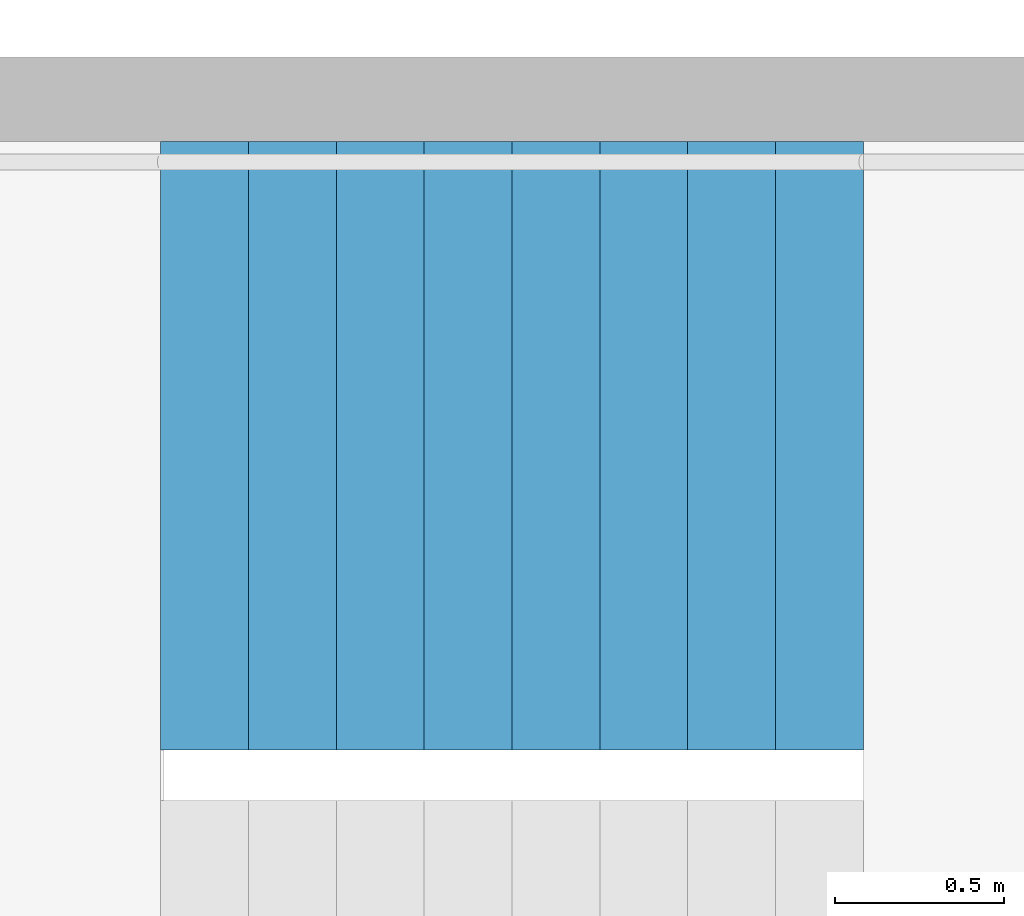
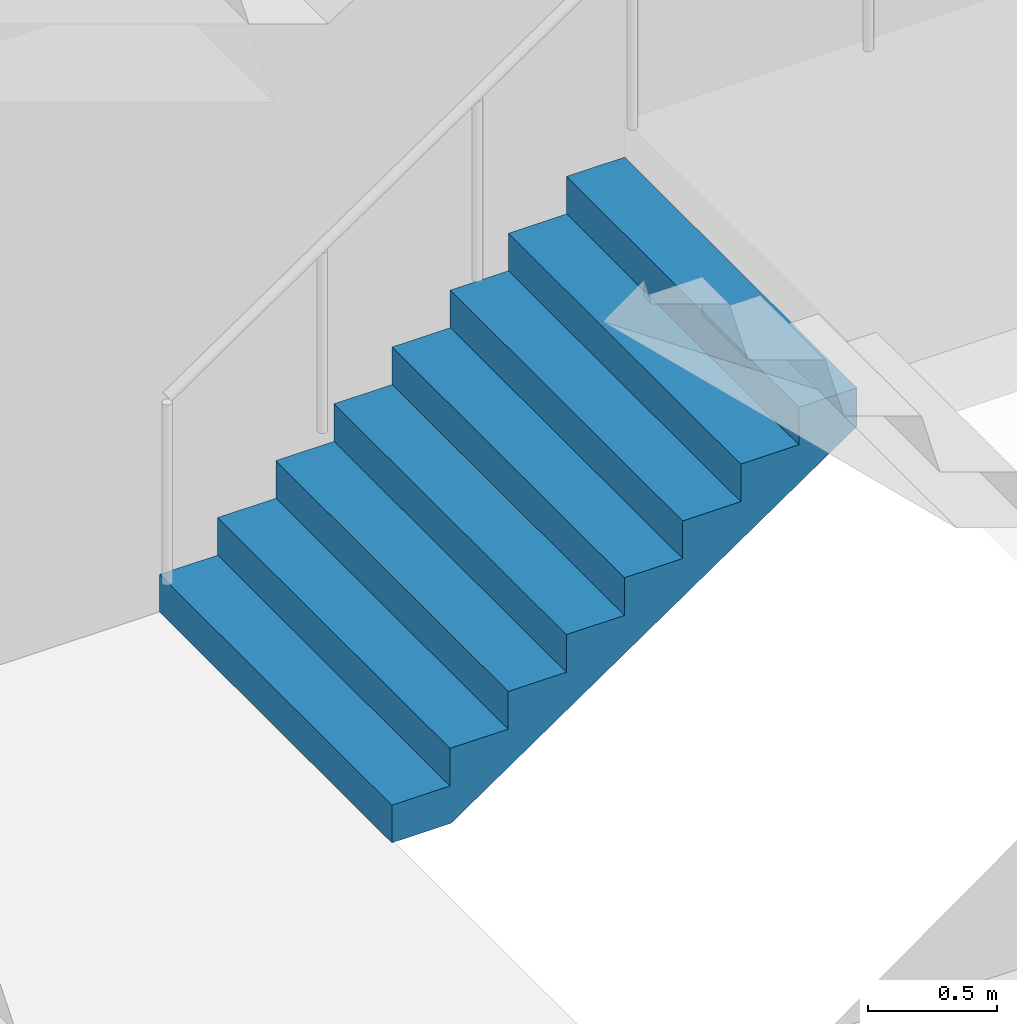
# One storey, part 25 of 41: 1 stair flight, 1 element without a shape of its own.
"""IFC4 building model written with IfcOpenShell, lengths in metres."""

import ifcopenshell
import ifcopenshell.guid

model = None  # the IFC model being written
_history = None  # IfcOwnerHistory: only IFC2X3 demands one
_inside = {}  # id of a spatial element -> (the spatial element, [elements in it])
_under = {}  # id of a project, library or spatial element -> (it, [spatial elements below it])
_declared = {}  # id of a project -> (the project, [libraries it declares])
_typed = {}  # id of a type object -> (the type object, [elements of that type])
_made_of = {}  # id of a material, layer set ... -> (it, [elements and type objects made of it])


def new_model(schema):
    """Start an empty IFC model of exactly this schema.

    Asked for "IFC4X3", IfcOpenShell would pick the latest addendum, in which some entities
    have other attributes; the version numbers below select the first issue.
    IFC2X3 requires an IfcOwnerHistory on every rooted entity: one is made here for all.
    """
    global model, _history
    if schema == "IFC4X3":
        model = ifcopenshell.file(schema_version=(4, 3, 0, 0))
    else:
        model = ifcopenshell.file(schema=schema)
    _inside.clear()
    _under.clear()
    _declared.clear()
    _typed.clear()
    _made_of.clear()
    _history = None
    if model.schema == "IFC2X3":
        org = make("IfcOrganization", Name="unknown")
        user = make(
            "IfcPersonAndOrganization",
            ThePerson=make("IfcPerson", FamilyName="unknown"),
            TheOrganization=org,
        )
        app = make(
            "IfcApplication",
            ApplicationDeveloper=org,
            Version="unknown",
            ApplicationFullName="unknown",
            ApplicationIdentifier="unknown",
        )
        _history = make(
            "IfcOwnerHistory",
            OwningUser=user,
            OwningApplication=app,
            ChangeAction="ADDED",
            CreationDate=0,
        )
    return model


def make(cls, **values):
    """One entity of the class cls with the attributes given. An attribute that is None is left unset."""
    return model.create_entity(
        cls, **{name: value for name, value in values.items() if value is not None}
    )


def rooted(cls, **values):
    """An entity with a GlobalId (a new one), such as an element, a storey or a relation."""
    return make(cls, GlobalId=ifcopenshell.guid.new(), OwnerHistory=_history, **values)


def si_unit(unit_type, name, prefix=None):
    """IfcSIUnit, for example si_unit("LENGTHUNIT", "METRE", prefix="MILLI")."""
    return make("IfcSIUnit", UnitType=unit_type, Prefix=prefix, Name=name)


def assignment(units):
    """IfcUnitAssignment: the units of a project."""
    return None if units is None else make("IfcUnitAssignment", Units=units)


def point(xyz):
    """IfcCartesianPoint."""
    return None if xyz is None else make("IfcCartesianPoint", Coordinates=xyz)


def direction(xyz):
    """IfcDirection."""
    return None if xyz is None else make("IfcDirection", DirectionRatios=xyz)


def frame(location, z_axis=None, x_axis=None):
    """IfcAxis2Placement3D, a coordinate frame: its origin and axes. An axis left out is left unset."""
    return make(
        "IfcAxis2Placement3D",
        Location=point(location),
        Axis=direction(z_axis),
        RefDirection=direction(x_axis),
    )


def origin():
    """The frame at (0, 0, 0) with its axes left unset."""
    return frame((0.0, 0.0, 0.0))


def place(relative_to, where):
    """IfcLocalPlacement: puts the frame where relative to a parent placement (None: the world)."""
    return make(
        "IfcLocalPlacement", PlacementRelTo=relative_to, RelativePlacement=where
    )


def context(
    kind, dimensions, precision=None, world=None, true_north=None, identifier=None
):
    """IfcGeometricRepresentationContext, for example the 3D "Model" context."""
    return make(
        "IfcGeometricRepresentationContext",
        ContextIdentifier=identifier,
        ContextType=kind,
        CoordinateSpaceDimension=dimensions,
        Precision=precision,
        WorldCoordinateSystem=world,
        TrueNorth=true_north,
    )


def subcontext(parent, identifier, kind, view, scale=None):
    """IfcGeometricRepresentationSubContext, for example "Body" below "Model"."""
    return make(
        "IfcGeometricRepresentationSubContext",
        ContextIdentifier=identifier,
        ContextType=kind,
        ParentContext=parent,
        TargetScale=scale,
        TargetView=view,
    )


def project(units=None, contexts=None):
    """IfcProject with its units and contexts."""
    return rooted(
        "IfcProject",
        Name="project",
        RepresentationContexts=contexts,
        UnitsInContext=assignment(units),
    )


def spatial(cls, under=None, at=None, **own):
    """A site, building, storey or space (cls), placed at a placement, below another one or the project."""
    s = rooted(cls, ObjectPlacement=at, **own)
    if under is not None:
        _under.setdefault(under.id(), (under, []))[1].append(s)
    return s


def point_list(points):
    """IfcCartesianPointList2D or 3D."""
    cls = (
        "IfcCartesianPointList2D" if len(points[0]) == 2 else "IfcCartesianPointList3D"
    )
    return make(cls, CoordList=points)


def triangles(points, corners, closed=None, point_numbers=None):
    """IfcTriangulatedFaceSet: each triangle names its three corners, points numbered from 1."""
    return make(
        "IfcTriangulatedFaceSet",
        Coordinates=point_list(points),
        Closed=closed,
        CoordIndex=corners,
        PnIndex=point_numbers,
    )


def shape(context_of_items, identifier, shape_type, items):
    """IfcShapeRepresentation: the items that make up one representation, for example the "Body"."""
    return make(
        "IfcShapeRepresentation",
        ContextOfItems=context_of_items,
        RepresentationIdentifier=identifier,
        RepresentationType=shape_type,
        Items=items,
    )


def material(Name=None, Category=None):
    """IfcMaterial."""
    return make("IfcMaterial", Name=Name, Category=Category)


def made_of(thing, what):
    """Note that an element or type object is made of a material, layer set ...; save() writes the relation."""
    if what is not None:
        _made_of.setdefault(what.id(), (what, []))[1].append(thing)
    return thing


def type_object(cls, material=None, **own):
    """A type object (cls), such as IfcWallType, which elements share."""
    return made_of(rooted(cls, **own), material)


def element(
    cls,
    number,
    at=None,
    inside=None,
    cuts=None,
    type_object=None,
    material=None,
    context=None,
    identifier="Body",
    shape_type=None,
    held_by="IfcProductDefinitionShape",
    body=None,
    shapes=None,
    **own,
):
    """One element of the class cls, such as IfcWall. Its Tag is "e" and its number.

    at: its placement. inside: the storey or other place that contains it. cuts: it is an
    opening in that element (IfcRelVoidsElement). A single representation is given by context,
    identifier, shape_type and body (its items); several are given by shapes. held_by: the class
    of the entity that holds the representations. save() writes the other relations.
    """
    e = rooted(cls, Tag="e%d" % number, ObjectPlacement=at, **own)
    if body is not None:
        shapes = [shape(context, identifier, shape_type, body)]
    if shapes is not None:
        e.Representation = make(held_by, Representations=shapes)
    if inside is not None:
        _inside.setdefault(inside.id(), (inside, []))[1].append(e)
    if cuts is not None:
        rooted(
            "IfcRelVoidsElement", RelatingBuildingElement=cuts, RelatedOpeningElement=e
        )
    if type_object is not None:
        _typed.setdefault(type_object.id(), (type_object, []))[1].append(e)
    return made_of(e, material)


def aggregate(whole, parts):
    """IfcRelAggregates: a whole, such as a stair, and the parts it consists of."""
    return rooted("IfcRelAggregates", RelatingObject=whole, RelatedObjects=parts)


def save(model, path):
    """Write the relations noted so far, then the file.

    IfcRelAggregates (storeys below a building ...), IfcRelContainedInSpatialStructure (elements
    in a storey), IfcRelDefinesByType, IfcRelAssociatesMaterial and IfcRelDeclares: one each for
    every whole, place, type object, material and project.
    """
    for whole, parts in _under.values():
        aggregate(whole, parts)
    for where, things in _inside.values():
        rooted(
            "IfcRelContainedInSpatialStructure",
            RelatedElements=things,
            RelatingStructure=where,
        )
    for kind, things in _typed.values():
        rooted("IfcRelDefinesByType", RelatedObjects=things, RelatingType=kind)
    for what, things in _made_of.values():
        rooted("IfcRelAssociatesMaterial", RelatedObjects=things, RelatingMaterial=what)
    for by, libraries in _declared.values():
        rooted("IfcRelDeclares", RelatingContext=by, RelatedDefinitions=libraries)
    model.write(path)


model = new_model("IFC4")

# Units and contexts
model_context = context("Model", 3, precision=1e-05, world=origin(), true_north=direction((0.0, 1.0)))
body_context = subcontext(model_context, "Body", "Model", "MODEL_VIEW")
ifc_project = project(units=[si_unit("LENGTHUNIT", "METRE"), si_unit("AREAUNIT", "SQUARE_METRE"), si_unit("VOLUMEUNIT", "CUBIC_METRE"), si_unit("PLANEANGLEUNIT", "RADIAN"), si_unit("MASSUNIT", "GRAM", prefix="KILO")], contexts=[model_context])

# Site, building, storey
site_placement = place(None, origin())
site = spatial("IfcSite", under=ifc_project, at=site_placement, CompositionType="ELEMENT")
building_placement = place(site_placement, origin())
building = spatial("IfcBuilding", under=site, at=building_placement, Name="Hakoniwa Tower and Hamabe Station Hall", CompositionType="ELEMENT")
storey_placement = place(building_placement, frame((0.0, 0.0, 180.199951171875)))
storey = spatial("IfcBuildingStorey", under=building, at=storey_placement, Name="L51", CompositionType="ELEMENT", Elevation=180.199951171875)

# Stair, stair flight
ifc_material_1 = material(Name="Concrete C40", Category="concrete")
stair_type = type_object("IfcStairType", Name="ESCAPE STAIR 1800", PredefinedType="HALF_TURN_STAIR", material=ifc_material_1)
stair_placement = place(storey_placement, origin())
stair = element("IfcStair", 1, at=stair_placement, inside=storey, type_object=stair_type, Name="Escape stair ST-4 L51", PredefinedType="HALF_TURN_STAIR")
ifc_material_2 = material(Name="Concrete C40", Category="concrete")
stair_flight_type = type_object("IfcStairFlightType", Name="STAIR FLIGHT 1800", PredefinedType="STRAIGHT", material=ifc_material_2)
stair_flight_placement = place(storey_placement, frame((23.39990234375, -4.64990234375, 0.0), z_axis=(0.0, 0.0, 1.0), x_axis=(1.0, 0.0, 0.0)))
stair_flight = element("IfcStairFlight", 2, at=stair_flight_placement, type_object=stair_flight_type, Name="ST-4 flight 1", NumberOfRisers=9, NumberOfTreads=8, PredefinedType="STRAIGHT", RiserHeight=0.177777778, TreadLength=0.26, context=body_context, shape_type="Tessellation", body=[
    triangles([(0.0, 0.89990234375, 0.0), (0.260009765625, 0.89990234375, 0.0), (0.265625, 0.89990234375, 0.0), (0.52001953125, 0.89990234375, 0.174072265625), (0.780029296875, 0.89990234375, 0.351806640625), (1.0400390625, 0.89990234375, 0.529541015625), (1.300048828125, 0.89990234375, 0.707275390625), (1.56005859375, 0.89990234375, 0.885009765625), (1.820068359375, 0.89990234375, 1.062744140625), (2.080078125, 0.89990234375, 1.24072265625), (2.080078125, 0.89990234375, 1.422119140625), (1.820068359375, 0.89990234375, 1.422119140625), (1.820068359375, 0.89990234375, 1.244384765625), (1.56005859375, 0.89990234375, 1.244384765625), (1.56005859375, 0.89990234375, 1.066650390625), (1.300048828125, 0.89990234375, 1.066650390625), (1.300048828125, 0.89990234375, 0.888916015625), (1.0400390625, 0.89990234375, 0.888916015625), (1.0400390625, 0.89990234375, 0.711181640625), (0.780029296875, 0.89990234375, 0.711181640625), (0.780029296875, 0.89990234375, 0.533447265625), (0.52001953125, 0.89990234375, 0.533447265625), (0.52001953125, 0.89990234375, 0.35546875), (0.265625, 0.89990234375, 0.35546875), (0.260009765625, 0.89990234375, 0.35546875), (0.260009765625, 0.89990234375, 0.177734375), (0.0, 0.89990234375, 0.177734375), (0.0, 0.06005859375, 0.0), (0.260009765625, 0.06005859375, 0.0), (0.265625, 0.06005859375, 0.0), (0.52001953125, 0.06005859375, 0.174072265625), (0.780029296875, 0.06005859375, 0.351806640625), (1.0400390625, 0.06005859375, 0.529541015625), (1.300048828125, 0.06005859375, 0.707275390625), (1.56005859375, 0.06005859375, 0.885009765625), (1.820068359375, 0.06005859375, 1.062744140625), (2.080078125, 0.06005859375, 1.24072265625), (2.080078125, 0.06005859375, 1.422119140625), (1.820068359375, 0.06005859375, 1.422119140625), (1.820068359375, 0.06005859375, 1.244384765625), (1.56005859375, 0.06005859375, 1.244384765625), (1.56005859375, 0.06005859375, 1.066650390625), (1.300048828125, 0.06005859375, 1.066650390625), (1.300048828125, 0.06005859375, 0.888916015625), (1.0400390625, 0.06005859375, 0.888916015625), (1.0400390625, 0.06005859375, 0.711181640625), (0.780029296875, 0.06005859375, 0.711181640625), (0.780029296875, 0.06005859375, 0.533447265625), (0.52001953125, 0.06005859375, 0.533447265625), (0.52001953125, 0.06005859375, 0.35546875), (0.265625, 0.06005859375, 0.35546875), (0.260009765625, 0.06005859375, 0.35546875), (0.260009765625, 0.06005859375, 0.177734375), (0.0, 0.06005859375, 0.177734375), (0.0, 0.04296875, 0.0), (0.260009765625, 0.04296875, 0.0), (0.265625, 0.04296875, 0.0), (0.52001953125, 0.04296875, 0.174072265625), (0.780029296875, 0.04296875, 0.351806640625), (1.0400390625, 0.04296875, 0.529541015625), (1.300048828125, 0.04296875, 0.707275390625), (1.56005859375, 0.04296875, 0.885009765625), (1.820068359375, 0.04296875, 1.062744140625), (2.080078125, 0.04296875, 1.24072265625), (2.080078125, 0.04296875, 1.422119140625), (1.820068359375, 0.04296875, 1.422119140625), (1.820068359375, 0.04296875, 1.244384765625), (1.56005859375, 0.04296875, 1.244384765625), (1.56005859375, 0.04296875, 1.066650390625), (1.300048828125, 0.04296875, 1.066650390625), (1.300048828125, 0.04296875, 0.888916015625), (1.0400390625, 0.04296875, 0.888916015625), (1.0400390625, 0.04296875, 0.711181640625), (0.780029296875, 0.04296875, 0.711181640625), (0.780029296875, 0.04296875, 0.533447265625), (0.52001953125, 0.04296875, 0.533447265625), (0.52001953125, 0.04296875, 0.35546875), (0.265625, 0.04296875, 0.35546875), (0.260009765625, 0.04296875, 0.35546875), (0.260009765625, 0.04296875, 0.177734375), (0.0, 0.04296875, 0.177734375), (0.0, 0.025634765625, 0.0), (0.260009765625, 0.025634765625, 0.0), (0.265625, 0.025634765625, 0.0), (0.52001953125, 0.025634765625, 0.174072265625), (0.780029296875, 0.025634765625, 0.351806640625), (1.0400390625, 0.025634765625, 0.529541015625), (1.300048828125, 0.025634765625, 0.707275390625), (1.56005859375, 0.025634765625, 0.885009765625), (1.820068359375, 0.025634765625, 1.062744140625), (2.080078125, 0.025634765625, 1.24072265625), (2.080078125, 0.025634765625, 1.422119140625), (1.820068359375, 0.025634765625, 1.422119140625), (1.820068359375, 0.025634765625, 1.244384765625), (1.56005859375, 0.025634765625, 1.244384765625), (1.56005859375, 0.025634765625, 1.066650390625), (1.300048828125, 0.025634765625, 1.066650390625), (1.300048828125, 0.025634765625, 0.888916015625), (1.0400390625, 0.025634765625, 0.888916015625), (1.0400390625, 0.025634765625, 0.711181640625), (0.780029296875, 0.025634765625, 0.711181640625), (0.780029296875, 0.025634765625, 0.533447265625), (0.52001953125, 0.025634765625, 0.533447265625), (0.52001953125, 0.025634765625, 0.35546875), (0.265625, 0.025634765625, 0.35546875), (0.260009765625, 0.025634765625, 0.35546875), (0.260009765625, 0.025634765625, 0.177734375), (0.0, 0.025634765625, 0.177734375), (0.0, 0.008544921875, 0.0), (0.260009765625, 0.008544921875, 0.0), (0.265625, 0.008544921875, 0.0), (0.52001953125, 0.008544921875, 0.174072265625), (0.780029296875, 0.008544921875, 0.351806640625), (1.0400390625, 0.008544921875, 0.529541015625), (1.300048828125, 0.008544921875, 0.707275390625), (1.56005859375, 0.008544921875, 0.885009765625), (1.820068359375, 0.008544921875, 1.062744140625), (2.080078125, 0.008544921875, 1.24072265625), (2.080078125, 0.008544921875, 1.422119140625), (1.820068359375, 0.008544921875, 1.422119140625), (1.820068359375, 0.008544921875, 1.244384765625), (1.56005859375, 0.008544921875, 1.244384765625), (1.56005859375, 0.008544921875, 1.066650390625), (1.300048828125, 0.008544921875, 1.066650390625), (1.300048828125, 0.008544921875, 0.888916015625), (1.0400390625, 0.008544921875, 0.888916015625), (1.0400390625, 0.008544921875, 0.711181640625), (0.780029296875, 0.008544921875, 0.711181640625), (0.780029296875, 0.008544921875, 0.533447265625), (0.52001953125, 0.008544921875, 0.533447265625), (0.52001953125, 0.008544921875, 0.35546875), (0.265625, 0.008544921875, 0.35546875), (0.260009765625, 0.008544921875, 0.35546875), (0.260009765625, 0.008544921875, 0.177734375), (0.0, 0.008544921875, 0.177734375), (0.0, -0.008544921875, 0.0), (0.260009765625, -0.008544921875, 0.0), (0.265625, -0.008544921875, 0.0), (0.52001953125, -0.008544921875, 0.174072265625), (0.780029296875, -0.008544921875, 0.351806640625), (1.0400390625, -0.008544921875, 0.529541015625), (1.300048828125, -0.008544921875, 0.707275390625), (1.56005859375, -0.008544921875, 0.885009765625), (1.820068359375, -0.008544921875, 1.062744140625), (2.080078125, -0.008544921875, 1.24072265625), (2.080078125, -0.008544921875, 1.422119140625), (1.820068359375, -0.008544921875, 1.422119140625), (1.820068359375, -0.008544921875, 1.244384765625), (1.56005859375, -0.008544921875, 1.244384765625), (1.56005859375, -0.008544921875, 1.066650390625), (1.300048828125, -0.008544921875, 1.066650390625), (1.300048828125, -0.008544921875, 0.888916015625), (1.0400390625, -0.008544921875, 0.888916015625), (1.0400390625, -0.008544921875, 0.711181640625), (0.780029296875, -0.008544921875, 0.711181640625), (0.780029296875, -0.008544921875, 0.533447265625), (0.52001953125, -0.008544921875, 0.533447265625), (0.52001953125, -0.008544921875, 0.35546875), (0.265625, -0.008544921875, 0.35546875), (0.260009765625, -0.008544921875, 0.35546875), (0.260009765625, -0.008544921875, 0.177734375), (0.0, -0.008544921875, 0.177734375), (0.0, -0.025634765625, 0.0), (0.260009765625, -0.025634765625, 0.0), (0.265625, -0.025634765625, 0.0), (0.52001953125, -0.025634765625, 0.174072265625), (0.780029296875, -0.025634765625, 0.351806640625), (1.0400390625, -0.025634765625, 0.529541015625), (1.300048828125, -0.025634765625, 0.707275390625), (1.56005859375, -0.025634765625, 0.885009765625), (1.820068359375, -0.025634765625, 1.062744140625), (2.080078125, -0.025634765625, 1.24072265625), (2.080078125, -0.025634765625, 1.422119140625), (1.820068359375, -0.025634765625, 1.422119140625), (1.820068359375, -0.025634765625, 1.244384765625), (1.56005859375, -0.025634765625, 1.244384765625), (1.56005859375, -0.025634765625, 1.066650390625), (1.300048828125, -0.025634765625, 1.066650390625), (1.300048828125, -0.025634765625, 0.888916015625), (1.0400390625, -0.025634765625, 0.888916015625), (1.0400390625, -0.025634765625, 0.711181640625), (0.780029296875, -0.025634765625, 0.711181640625), (0.780029296875, -0.025634765625, 0.533447265625), (0.52001953125, -0.025634765625, 0.533447265625), (0.52001953125, -0.025634765625, 0.35546875), (0.265625, -0.025634765625, 0.35546875), (0.260009765625, -0.025634765625, 0.35546875), (0.260009765625, -0.025634765625, 0.177734375), (0.0, -0.025634765625, 0.177734375), (0.0, -0.04296875, 0.0), (0.260009765625, -0.04296875, 0.0), (0.265625, -0.04296875, 0.0), (0.52001953125, -0.04296875, 0.174072265625), (0.780029296875, -0.04296875, 0.351806640625), (1.0400390625, -0.04296875, 0.529541015625), (1.300048828125, -0.04296875, 0.707275390625), (1.56005859375, -0.04296875, 0.885009765625), (1.820068359375, -0.04296875, 1.062744140625), (2.080078125, -0.04296875, 1.24072265625), (2.080078125, -0.04296875, 1.422119140625), (1.820068359375, -0.04296875, 1.422119140625), (1.820068359375, -0.04296875, 1.244384765625), (1.56005859375, -0.04296875, 1.244384765625), (1.56005859375, -0.04296875, 1.066650390625), (1.300048828125, -0.04296875, 1.066650390625), (1.300048828125, -0.04296875, 0.888916015625), (1.0400390625, -0.04296875, 0.888916015625), (1.0400390625, -0.04296875, 0.711181640625), (0.780029296875, -0.04296875, 0.711181640625), (0.780029296875, -0.04296875, 0.533447265625), (0.52001953125, -0.04296875, 0.533447265625), (0.52001953125, -0.04296875, 0.35546875), (0.265625, -0.04296875, 0.35546875), (0.260009765625, -0.04296875, 0.35546875), (0.260009765625, -0.04296875, 0.177734375), (0.0, -0.04296875, 0.177734375), (0.0, -0.06005859375, 0.0), (0.260009765625, -0.06005859375, 0.0), (0.265625, -0.06005859375, 0.0), (0.52001953125, -0.06005859375, 0.174072265625), (0.780029296875, -0.06005859375, 0.351806640625), (1.0400390625, -0.06005859375, 0.529541015625), (1.300048828125, -0.06005859375, 0.707275390625), (1.56005859375, -0.06005859375, 0.885009765625), (1.820068359375, -0.06005859375, 1.062744140625), (2.080078125, -0.06005859375, 1.24072265625), (2.080078125, -0.06005859375, 1.422119140625), (1.820068359375, -0.06005859375, 1.422119140625), (1.820068359375, -0.06005859375, 1.244384765625), (1.56005859375, -0.06005859375, 1.244384765625), (1.56005859375, -0.06005859375, 1.066650390625), (1.300048828125, -0.06005859375, 1.066650390625), (1.300048828125, -0.06005859375, 0.888916015625), (1.0400390625, -0.06005859375, 0.888916015625), (1.0400390625, -0.06005859375, 0.711181640625), (0.780029296875, -0.06005859375, 0.711181640625), (0.780029296875, -0.06005859375, 0.533447265625), (0.52001953125, -0.06005859375, 0.533447265625), (0.52001953125, -0.06005859375, 0.35546875), (0.265625, -0.06005859375, 0.35546875), (0.260009765625, -0.06005859375, 0.35546875), (0.260009765625, -0.06005859375, 0.177734375), (0.0, -0.06005859375, 0.177734375), (0.0, -0.89990234375, 0.0), (0.260009765625, -0.89990234375, 0.0), (0.265625, -0.89990234375, 0.0), (0.52001953125, -0.89990234375, 0.174072265625), (0.780029296875, -0.89990234375, 0.351806640625), (1.0400390625, -0.89990234375, 0.529541015625), (1.300048828125, -0.89990234375, 0.707275390625), (1.56005859375, -0.89990234375, 0.885009765625), (1.820068359375, -0.89990234375, 1.062744140625), (2.080078125, -0.89990234375, 1.24072265625), (2.080078125, -0.89990234375, 1.422119140625), (1.820068359375, -0.89990234375, 1.422119140625), (1.820068359375, -0.89990234375, 1.244384765625), (1.56005859375, -0.89990234375, 1.244384765625), (1.56005859375, -0.89990234375, 1.066650390625), (1.300048828125, -0.89990234375, 1.066650390625), (1.300048828125, -0.89990234375, 0.888916015625), (1.0400390625, -0.89990234375, 0.888916015625), (1.0400390625, -0.89990234375, 0.711181640625), (0.780029296875, -0.89990234375, 0.711181640625), (0.780029296875, -0.89990234375, 0.533447265625), (0.52001953125, -0.89990234375, 0.533447265625), (0.52001953125, -0.89990234375, 0.35546875), (0.265625, -0.89990234375, 0.35546875), (0.260009765625, -0.89990234375, 0.35546875), (0.260009765625, -0.89990234375, 0.177734375), (0.0, -0.89990234375, 0.177734375)], [[2, 27, 26], [245, 269, 270], [2, 1, 27], [245, 270, 244], [3, 25, 24], [246, 267, 268], [3, 26, 25], [246, 268, 269], [3, 2, 26], [246, 269, 245], [4, 24, 23], [247, 266, 267], [4, 3, 24], [247, 267, 246], [5, 22, 21], [248, 264, 265], [5, 23, 22], [248, 265, 266], [5, 4, 23], [248, 266, 247], [6, 20, 19], [249, 262, 263], [6, 21, 20], [249, 263, 264], [6, 5, 21], [249, 264, 248], [7, 18, 17], [250, 260, 261], [7, 19, 18], [250, 261, 262], [7, 6, 19], [250, 262, 249], [8, 16, 15], [251, 258, 259], [8, 17, 16], [251, 259, 260], [8, 7, 17], [251, 260, 250], [9, 14, 13], [252, 256, 257], [9, 15, 14], [252, 257, 258], [9, 8, 15], [252, 258, 251], [10, 12, 11], [253, 254, 255], [10, 13, 12], [253, 255, 256], [10, 9, 13], [253, 256, 252], [1, 2, 29], [1, 29, 28], [28, 29, 56], [28, 56, 55], [55, 56, 83], [55, 83, 82], [82, 83, 110], [82, 110, 109], [109, 110, 137], [109, 137, 136], [136, 137, 164], [136, 164, 163], [163, 164, 191], [163, 191, 190], [190, 191, 218], [190, 218, 217], [217, 218, 245], [217, 245, 244], [2, 3, 30], [2, 30, 29], [29, 30, 57], [29, 57, 56], [56, 57, 84], [56, 84, 83], [83, 84, 111], [83, 111, 110], [110, 111, 138], [110, 138, 137], [137, 138, 165], [137, 165, 164], [164, 165, 192], [164, 192, 191], [191, 192, 219], [191, 219, 218], [218, 219, 246], [218, 246, 245], [3, 4, 31], [3, 31, 30], [30, 31, 58], [30, 58, 57], [57, 58, 85], [57, 85, 84], [84, 85, 112], [84, 112, 111], [111, 112, 139], [111, 139, 138], [138, 139, 166], [138, 166, 165], [165, 166, 193], [165, 193, 192], [192, 193, 220], [192, 220, 219], [219, 220, 247], [219, 247, 246], [4, 5, 32], [4, 32, 31], [31, 32, 59], [31, 59, 58], [58, 59, 86], [58, 86, 85], [85, 86, 113], [85, 113, 112], [112, 113, 140], [112, 140, 139], [139, 140, 167], [139, 167, 166], [166, 167, 194], [166, 194, 193], [193, 194, 221], [193, 221, 220], [220, 221, 248], [220, 248, 247], [5, 6, 33], [5, 33, 32], [32, 33, 60], [32, 60, 59], [59, 60, 87], [59, 87, 86], [86, 87, 114], [86, 114, 113], [113, 114, 141], [113, 141, 140], [140, 141, 168], [140, 168, 167], [167, 168, 195], [167, 195, 194], [194, 195, 222], [194, 222, 221], [221, 222, 249], [221, 249, 248], [6, 7, 34], [6, 34, 33], [33, 34, 61], [33, 61, 60], [60, 61, 88], [60, 88, 87], [87, 88, 115], [87, 115, 114], [114, 115, 142], [114, 142, 141], [141, 142, 169], [141, 169, 168], [168, 169, 196], [168, 196, 195], [195, 196, 223], [195, 223, 222], [222, 223, 250], [222, 250, 249], [7, 8, 35], [7, 35, 34], [34, 35, 62], [34, 62, 61], [61, 62, 89], [61, 89, 88], [88, 89, 116], [88, 116, 115], [115, 116, 143], [115, 143, 142], [142, 143, 170], [142, 170, 169], [169, 170, 197], [169, 197, 196], [196, 197, 224], [196, 224, 223], [223, 224, 251], [223, 251, 250], [8, 9, 36], [8, 36, 35], [35, 36, 63], [35, 63, 62], [62, 63, 90], [62, 90, 89], [89, 90, 117], [89, 117, 116], [116, 117, 144], [116, 144, 143], [143, 144, 171], [143, 171, 170], [170, 171, 198], [170, 198, 197], [197, 198, 225], [197, 225, 224], [224, 225, 252], [224, 252, 251], [9, 10, 37], [9, 37, 36], [36, 37, 64], [36, 64, 63], [63, 64, 91], [63, 91, 90], [90, 91, 118], [90, 118, 117], [117, 118, 145], [117, 145, 144], [144, 145, 172], [144, 172, 171], [171, 172, 199], [171, 199, 198], [198, 199, 226], [198, 226, 225], [225, 226, 253], [225, 253, 252], [10, 11, 38], [10, 38, 37], [37, 38, 65], [37, 65, 64], [64, 65, 92], [64, 92, 91], [91, 92, 119], [91, 119, 118], [118, 119, 146], [118, 146, 145], [145, 146, 173], [145, 173, 172], [172, 173, 200], [172, 200, 199], [199, 200, 227], [199, 227, 226], [226, 227, 254], [226, 254, 253], [11, 12, 39], [11, 39, 38], [38, 39, 66], [38, 66, 65], [65, 66, 93], [65, 93, 92], [92, 93, 120], [92, 120, 119], [119, 120, 147], [119, 147, 146], [146, 147, 174], [146, 174, 173], [173, 174, 201], [173, 201, 200], [200, 201, 228], [200, 228, 227], [227, 228, 255], [227, 255, 254], [12, 13, 40], [12, 40, 39], [39, 40, 67], [39, 67, 66], [66, 67, 94], [66, 94, 93], [93, 94, 121], [93, 121, 120], [120, 121, 148], [120, 148, 147], [147, 148, 175], [147, 175, 174], [174, 175, 202], [174, 202, 201], [201, 202, 229], [201, 229, 228], [228, 229, 256], [228, 256, 255], [13, 14, 41], [13, 41, 40], [40, 41, 68], [40, 68, 67], [67, 68, 95], [67, 95, 94], [94, 95, 122], [94, 122, 121], [121, 122, 149], [121, 149, 148], [148, 149, 176], [148, 176, 175], [175, 176, 203], [175, 203, 202], [202, 203, 230], [202, 230, 229], [229, 230, 257], [229, 257, 256], [14, 15, 42], [14, 42, 41], [41, 42, 69], [41, 69, 68], [68, 69, 96], [68, 96, 95], [95, 96, 123], [95, 123, 122], [122, 123, 150], [122, 150, 149], [149, 150, 177], [149, 177, 176], [176, 177, 204], [176, 204, 203], [203, 204, 231], [203, 231, 230], [230, 231, 258], [230, 258, 257], [15, 16, 43], [15, 43, 42], [42, 43, 70], [42, 70, 69], [69, 70, 97], [69, 97, 96], [96, 97, 124], [96, 124, 123], [123, 124, 151], [123, 151, 150], [150, 151, 178], [150, 178, 177], [177, 178, 205], [177, 205, 204], [204, 205, 232], [204, 232, 231], [231, 232, 259], [231, 259, 258], [16, 17, 44], [16, 44, 43], [43, 44, 71], [43, 71, 70], [70, 71, 98], [70, 98, 97], [97, 98, 125], [97, 125, 124], [124, 125, 152], [124, 152, 151], [151, 152, 179], [151, 179, 178], [178, 179, 206], [178, 206, 205], [205, 206, 233], [205, 233, 232], [232, 233, 260], [232, 260, 259], [17, 18, 45], [17, 45, 44], [44, 45, 72], [44, 72, 71], [71, 72, 99], [71, 99, 98], [98, 99, 126], [98, 126, 125], [125, 126, 153], [125, 153, 152], [152, 153, 180], [152, 180, 179], [179, 180, 207], [179, 207, 206], [206, 207, 234], [206, 234, 233], [233, 234, 261], [233, 261, 260], [18, 19, 46], [18, 46, 45], [45, 46, 73], [45, 73, 72], [72, 73, 100], [72, 100, 99], [99, 100, 127], [99, 127, 126], [126, 127, 154], [126, 154, 153], [153, 154, 181], [153, 181, 180], [180, 181, 208], [180, 208, 207], [207, 208, 235], [207, 235, 234], [234, 235, 262], [234, 262, 261], [19, 20, 47], [19, 47, 46], [46, 47, 74], [46, 74, 73], [73, 74, 101], [73, 101, 100], [100, 101, 128], [100, 128, 127], [127, 128, 155], [127, 155, 154], [154, 155, 182], [154, 182, 181], [181, 182, 209], [181, 209, 208], [208, 209, 236], [208, 236, 235], [235, 236, 263], [235, 263, 262], [20, 21, 48], [20, 48, 47], [47, 48, 75], [47, 75, 74], [74, 75, 102], [74, 102, 101], [101, 102, 129], [101, 129, 128], [128, 129, 156], [128, 156, 155], [155, 156, 183], [155, 183, 182], [182, 183, 210], [182, 210, 209], [209, 210, 237], [209, 237, 236], [236, 237, 264], [236, 264, 263], [21, 22, 49], [21, 49, 48], [48, 49, 76], [48, 76, 75], [75, 76, 103], [75, 103, 102], [102, 103, 130], [102, 130, 129], [129, 130, 157], [129, 157, 156], [156, 157, 184], [156, 184, 183], [183, 184, 211], [183, 211, 210], [210, 211, 238], [210, 238, 237], [237, 238, 265], [237, 265, 264], [22, 23, 50], [22, 50, 49], [49, 50, 77], [49, 77, 76], [76, 77, 104], [76, 104, 103], [103, 104, 131], [103, 131, 130], [130, 131, 158], [130, 158, 157], [157, 158, 185], [157, 185, 184], [184, 185, 212], [184, 212, 211], [211, 212, 239], [211, 239, 238], [238, 239, 266], [238, 266, 265], [23, 24, 51], [23, 51, 50], [50, 51, 78], [50, 78, 77], [77, 78, 105], [77, 105, 104], [104, 105, 132], [104, 132, 131], [131, 132, 159], [131, 159, 158], [158, 159, 186], [158, 186, 185], [185, 186, 213], [185, 213, 212], [212, 213, 240], [212, 240, 239], [239, 240, 267], [239, 267, 266], [24, 25, 52], [24, 52, 51], [51, 52, 79], [51, 79, 78], [78, 79, 106], [78, 106, 105], [105, 106, 133], [105, 133, 132], [132, 133, 160], [132, 160, 159], [159, 160, 187], [159, 187, 186], [186, 187, 214], [186, 214, 213], [213, 214, 241], [213, 241, 240], [240, 241, 268], [240, 268, 267], [25, 26, 53], [25, 53, 52], [52, 53, 80], [52, 80, 79], [79, 80, 107], [79, 107, 106], [106, 107, 134], [106, 134, 133], [133, 134, 161], [133, 161, 160], [160, 161, 188], [160, 188, 187], [187, 188, 215], [187, 215, 214], [214, 215, 242], [214, 242, 241], [241, 242, 269], [241, 269, 268], [26, 27, 54], [26, 54, 53], [53, 54, 81], [53, 81, 80], [80, 81, 108], [80, 108, 107], [107, 108, 135], [107, 135, 134], [134, 135, 162], [134, 162, 161], [161, 162, 189], [161, 189, 188], [188, 189, 216], [188, 216, 215], [215, 216, 243], [215, 243, 242], [242, 243, 270], [242, 270, 269], [27, 1, 28], [27, 28, 54], [54, 28, 55], [54, 55, 81], [81, 55, 82], [81, 82, 108], [108, 82, 109], [108, 109, 135], [135, 109, 136], [135, 136, 162], [162, 136, 163], [162, 163, 189], [189, 163, 190], [189, 190, 216], [216, 190, 217], [216, 217, 243], [243, 217, 244], [243, 244, 270]], closed=True),
])
aggregate(stair, [stair_flight])

save(model, "model.ifc")
